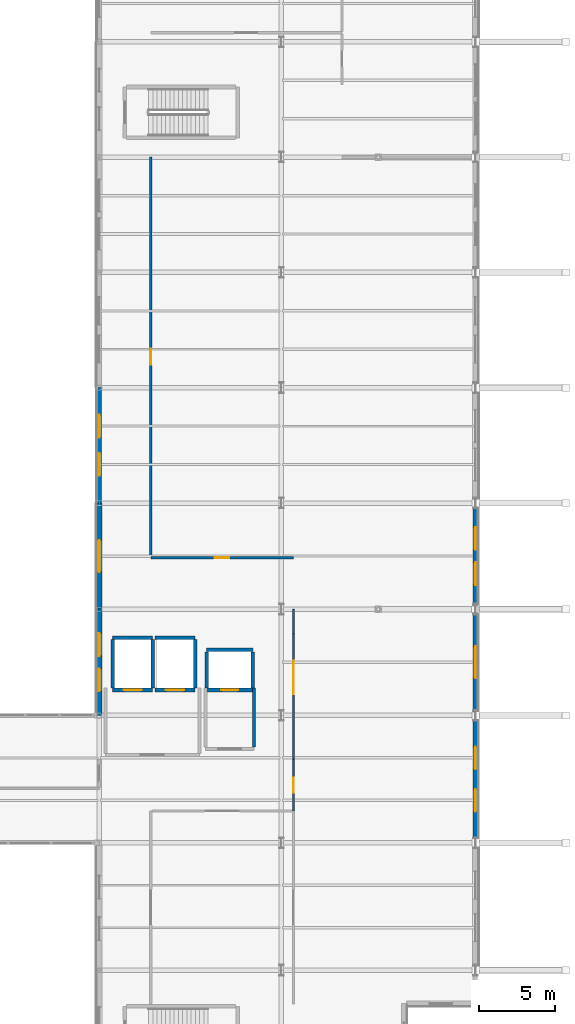
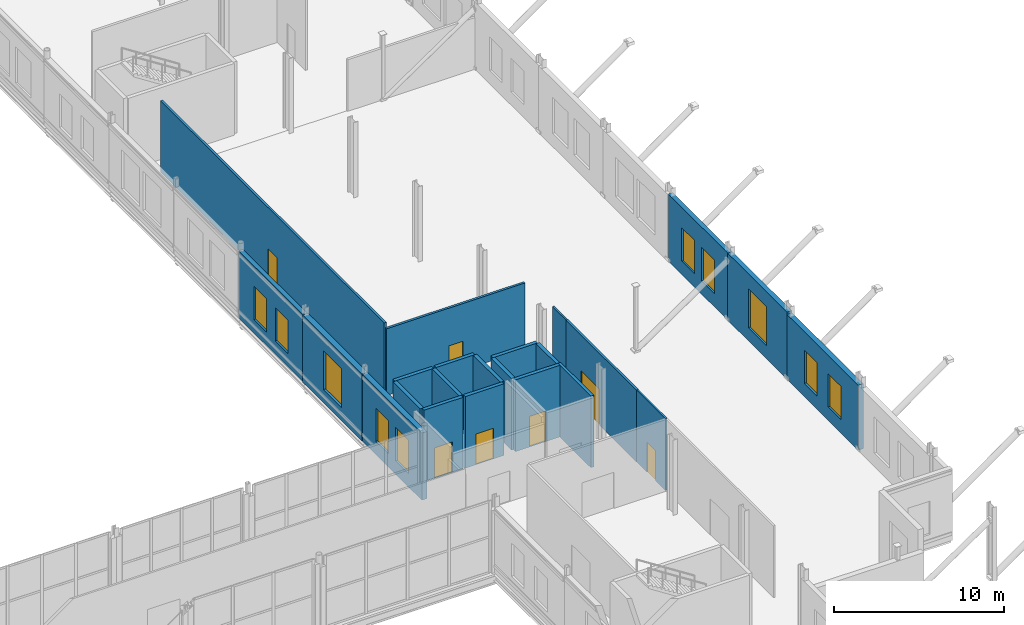
# One storey, part 127 of 147: 23 walls, 10 windows, 7 doors, 17 openings.
"""IFC4 building model written with IfcOpenShell, lengths in metres."""

from ifc_helpers import new_model, si_unit, direction, frame, frame_2d, origin, place, context, subcontext, project, spatial, rectangle, extrude, material, layer, layer_set, type_object, element, fill, save


model = new_model("IFC4")

# Units and contexts
model_context = context("Model", 3, precision=1e-05, world=origin(), true_north=direction((0.0, 1.0)))
body_context = subcontext(model_context, "Body", "Model", "MODEL_VIEW")
ifc_project = project(units=[si_unit("LENGTHUNIT", "METRE"), si_unit("AREAUNIT", "SQUARE_METRE"), si_unit("VOLUMEUNIT", "CUBIC_METRE"), si_unit("PLANEANGLEUNIT", "RADIAN"), si_unit("MASSUNIT", "GRAM", prefix="KILO")], contexts=[model_context])

# Site, building, storey
site_placement = place(None, origin())
site = spatial("IfcSite", under=ifc_project, at=site_placement, CompositionType="ELEMENT")
building_placement = place(site_placement, origin())
building = spatial("IfcBuilding", under=site, at=building_placement, Name="Vekula Escarpment Museum", CompositionType="ELEMENT")
storey_placement = place(building_placement, frame((0.0, 0.0, 7.800048828125)))
storey = spatial("IfcBuildingStorey", under=building, at=storey_placement, Name="L02", CompositionType="ELEMENT", Elevation=7.800048828125)

# Wall, openings, windows
ifc_material_1 = material(Name="Inkisi arkosic sandstone masonry", Category="masonry")
ifc_layer_1 = layer(ifc_material_1, 0.300048828125)
ifc_layer_set_1 = layer_set([ifc_layer_1], Name="Inkisi arkosic sandstone masonry")
wall_type_1 = type_object("IfcWallType", Name="WL-ALM-300", PredefinedType="SOLIDWALL", material=ifc_layer_set_1)
wall_1_placement = place(storey_placement, frame((191.800048828125, 90.39990234375, 0.0), z_axis=(0.0, 0.0, 1.0), x_axis=(0.0, -1.0, 0.0)))
wall_1 = element("IfcWall", 1, at=wall_1_placement, inside=storey, type_object=wall_type_1, Name="Exterior Wall WL-EXT-L02-0395", PredefinedType="SOLIDWALL", context=body_context, shape_type="SweptSolid", body=[
    extrude(rectangle(XDim=7.0, YDim=0.300048828125, at=frame_2d((3.5, 0.0))), origin(), (0.0, 0.0, 1.0), 4.81494140625),
])
opening_1_placement = place(wall_1_placement, frame((1.583251953125, 0.0, 0.949951171875)))
opening_1 = element("IfcOpeningElement", 2, at=opening_1_placement, cuts=wall_1, Name="Opening WN-06", PredefinedType="OPENING", context=body_context, shape_type="SweptSolid", body=[
    extrude(rectangle(XDim=1.5, YDim=2.39990234375, at=frame_2d((0.75, 1.199951171875))), frame((0.0, 0.159912109375, 0.0), z_axis=(0.0, -1.0, 0.0), x_axis=(1.0, 0.0, 0.0)), (0.0, 0.0, 1.0), 0.320068359375),
])
opening_2_placement = place(wall_1_placement, frame((3.916748046875, 0.0, 0.949951171875)))
opening_2 = element("IfcOpeningElement", 3, at=opening_2_placement, cuts=wall_1, Name="Opening WN-06", PredefinedType="OPENING", context=body_context, shape_type="SweptSolid", body=[
    extrude(rectangle(XDim=1.5, YDim=2.39990234375, at=frame_2d((0.75, 1.199951171875))), frame((0.0, 0.159912109375, 0.0), z_axis=(0.0, -1.0, 0.0), x_axis=(1.0, 0.0, 0.0)), (0.0, 0.0, 1.0), 0.320068359375),
])
ifc_material_2 = material(Name="Double solar-control low-E glass", Category="glass")
window_type_1 = type_object("IfcWindowType", Name="WN-CUMBA-15x24", PartitioningType="SINGLE_PANEL", PredefinedType="WINDOW", material=ifc_material_2)
window_1_placement = place(opening_1_placement, origin())
window_1 = element("IfcWindow", 4, at=window_1_placement, inside=storey, type_object=window_type_1, Name="Window L02-0190", OverallHeight=2.39990234375, OverallWidth=1.5, PartitioningType="SINGLE_PANEL", PredefinedType="WINDOW", context=body_context, shape_type="SweptSolid", body=[
    extrude(rectangle(XDim=1.5, YDim=2.39990234375, at=frame_2d((0.75, 1.199951171875))), frame((0.0, 0.030029296875, 0.0), z_axis=(0.0, -1.0, 0.0), x_axis=(1.0, 0.0, 0.0)), (0.0, 0.0, 1.0), 0.06005859375),
])
fill(opening_1, window_1)
window_2_placement = place(opening_2_placement, origin())
window_2 = element("IfcWindow", 5, at=window_2_placement, inside=storey, type_object=window_type_1, Name="Window L02-0191", OverallHeight=2.39990234375, OverallWidth=1.5, PartitioningType="SINGLE_PANEL", PredefinedType="WINDOW", context=body_context, shape_type="SweptSolid", body=[
    extrude(rectangle(XDim=1.5, YDim=2.39990234375, at=frame_2d((0.75, 1.199951171875))), frame((0.0, 0.030029296875, 0.0), z_axis=(0.0, -1.0, 0.0), x_axis=(1.0, 0.0, 0.0)), (0.0, 0.0, 1.0), 0.06005859375),
])
fill(opening_2, window_2)

wall_2_placement = place(storey_placement, frame((167.0, 90.39990234375, 0.0), z_axis=(0.0, 0.0, 1.0), x_axis=(0.0, 1.0, 0.0)))
wall_2 = element("IfcWall", 6, at=wall_2_placement, inside=storey, type_object=wall_type_1, Name="Exterior Wall WL-EXT-L02-0411", PredefinedType="SOLIDWALL", context=body_context, shape_type="SweptSolid", body=[
    extrude(rectangle(XDim=7.60009765625, YDim=0.300048828125, at=frame_2d((3.800048828125, 0.0))), origin(), (0.0, 0.0, 1.0), 4.81494140625),
])
opening_3_placement = place(wall_2_placement, frame((1.783203125, 0.0, 0.949951171875)))
opening_3 = element("IfcOpeningElement", 7, at=opening_3_placement, cuts=wall_2, Name="Opening WN-06", PredefinedType="OPENING", context=body_context, shape_type="SweptSolid", body=[
    extrude(rectangle(XDim=1.5, YDim=2.39990234375, at=frame_2d((0.75, 1.199951171875))), frame((0.0, 0.159912109375, 0.0), z_axis=(0.0, -1.0, 0.0), x_axis=(1.0, 0.0, 0.0)), (0.0, 0.0, 1.0), 0.320068359375),
])
opening_4_placement = place(wall_2_placement, frame((4.316650390625, 0.0, 0.949951171875)))
opening_4 = element("IfcOpeningElement", 8, at=opening_4_placement, cuts=wall_2, Name="Opening WN-06", PredefinedType="OPENING", context=body_context, shape_type="SweptSolid", body=[
    extrude(rectangle(XDim=1.5, YDim=2.39990234375, at=frame_2d((0.75, 1.199951171875))), frame((0.0, 0.159912109375, 0.0), z_axis=(0.0, -1.0, 0.0), x_axis=(1.0, 0.0, 0.0)), (0.0, 0.0, 1.0), 0.320068359375),
])
window_3_placement = place(opening_3_placement, origin())
window_3 = element("IfcWindow", 9, at=window_3_placement, inside=storey, type_object=window_type_1, Name="Window L02-0217", OverallHeight=2.39990234375, OverallWidth=1.5, PartitioningType="SINGLE_PANEL", PredefinedType="WINDOW", context=body_context, shape_type="SweptSolid", body=[
    extrude(rectangle(XDim=1.5, YDim=2.39990234375, at=frame_2d((0.75, 1.199951171875))), frame((0.0, 0.030029296875, 0.0), z_axis=(0.0, -1.0, 0.0), x_axis=(1.0, 0.0, 0.0)), (0.0, 0.0, 1.0), 0.06005859375),
])
fill(opening_3, window_3)
window_4_placement = place(opening_4_placement, origin())
window_4 = element("IfcWindow", 10, at=window_4_placement, inside=storey, type_object=window_type_1, Name="Window L02-0218", OverallHeight=2.39990234375, OverallWidth=1.5, PartitioningType="SINGLE_PANEL", PredefinedType="WINDOW", context=body_context, shape_type="SweptSolid", body=[
    extrude(rectangle(XDim=1.5, YDim=2.39990234375, at=frame_2d((0.75, 1.199951171875))), frame((0.0, 0.030029296875, 0.0), z_axis=(0.0, -1.0, 0.0), x_axis=(1.0, 0.0, 0.0)), (0.0, 0.0, 1.0), 0.06005859375),
])
fill(opening_4, window_4)

# Wall, opening, window
ifc_material_3 = material(Name="Inkisi arkosic sandstone masonry", Category="masonry")
ifc_layer_2 = layer(ifc_material_3, 0.320068359375)
ifc_layer_set_2 = layer_set([ifc_layer_2], Name="Inkisi arkosic sandstone masonry")
wall_type_2 = type_object("IfcWallType", Name="WL-ALM-320", PredefinedType="SOLIDWALL", material=ifc_layer_set_2)
wall_3_placement = place(storey_placement, frame((191.800048828125, 83.39990234375, 0.0), z_axis=(0.0, 0.0, 1.0), x_axis=(0.0, -1.0, 0.0)))
wall_3 = element("IfcWall", 11, at=wall_3_placement, inside=storey, type_object=wall_type_2, Name="Exterior Wall WL-EXT-L02-0394", PredefinedType="SOLIDWALL", context=body_context, shape_type="SweptSolid", body=[
    extrude(rectangle(XDim=7.0, YDim=0.320068359375, at=frame_2d((3.5, 0.0))), origin(), (0.0, 0.0, 1.0), 4.81494140625),
])
opening_5_placement = place(wall_3_placement, frame((2.449951171875, 0.0, 0.949951171875)))
opening_5 = element("IfcOpeningElement", 12, at=opening_5_placement, cuts=wall_3, Name="Opening WN-08", PredefinedType="OPENING", context=body_context, shape_type="SweptSolid", body=[
    extrude(rectangle(XDim=2.10009765625, YDim=2.800048828125, at=frame_2d((1.050048828125, 1.39990234375))), frame((0.0, 0.169921875, 0.0), z_axis=(0.0, -1.0, 0.0), x_axis=(1.0, 0.0, 0.0)), (0.0, 0.0, 1.0), 0.340087890625),
])
ifc_material_4 = material(Name="Double solar-control low-E glass", Category="glass")
window_type_2 = type_object("IfcWindowType", Name="WN-CUMBA-21x28", PartitioningType="DOUBLE_PANEL_VERTICAL", PredefinedType="WINDOW", material=ifc_material_4)
window_5_placement = place(opening_5_placement, origin())
window_5 = element("IfcWindow", 13, at=window_5_placement, inside=storey, type_object=window_type_2, Name="Window L02-0189", OverallHeight=2.800048828125, OverallWidth=2.10009765625, PartitioningType="SINGLE_PANEL", PredefinedType="WINDOW", context=body_context, shape_type="SweptSolid", body=[
    extrude(rectangle(XDim=2.10009765625, YDim=2.800048828125, at=frame_2d((1.050048828125, 1.39990234375))), frame((0.0, 0.030029296875, 0.0), z_axis=(0.0, -1.0, 0.0), x_axis=(1.0, 0.0, 0.0)), (0.0, 0.0, 1.0), 0.06005859375),
])
fill(opening_5, window_5)

# Wall, openings, windows
ifc_material_5 = material(Name="Inkisi arkosic sandstone masonry", Category="masonry")
ifc_layer_3 = layer(ifc_material_5, 0.35009765625)
ifc_layer_set_3 = layer_set([ifc_layer_3], Name="Inkisi arkosic sandstone masonry")
wall_type_3 = type_object("IfcWallType", Name="WL-ALM-350", PredefinedType="SOLIDWALL", material=ifc_layer_set_3)
wall_4_placement = place(storey_placement, frame((191.800048828125, 76.39990234375, 0.0), z_axis=(0.0, 0.0, 1.0), x_axis=(0.0, -1.0, 0.0)))
wall_4 = element("IfcWall", 14, at=wall_4_placement, inside=storey, type_object=wall_type_3, Name="Exterior Wall WL-EXT-L02-0393", PredefinedType="SOLIDWALL", context=body_context, shape_type="SweptSolid", body=[
    extrude(rectangle(XDim=8.39990234375, YDim=0.35009765625, at=frame_2d((4.199951171875, 0.0))), origin(), (0.0, 0.0, 1.0), 4.6650390625),
])
opening_6_placement = place(wall_4_placement, frame((2.050048828125, 0.0, 0.949951171875)))
opening_6 = element("IfcOpeningElement", 15, at=opening_6_placement, cuts=wall_4, Name="Opening WN-06", PredefinedType="OPENING", context=body_context, shape_type="SweptSolid", body=[
    extrude(rectangle(XDim=1.5, YDim=2.39990234375, at=frame_2d((0.75, 1.199951171875))), frame((0.0, 0.18505859375, 0.0), z_axis=(0.0, -1.0, 0.0), x_axis=(1.0, 0.0, 0.0)), (0.0, 0.0, 1.0), 0.3701171875),
])
opening_7_placement = place(wall_4_placement, frame((4.85009765625, 0.0, 0.949951171875)))
opening_7 = element("IfcOpeningElement", 16, at=opening_7_placement, cuts=wall_4, Name="Opening WN-06", PredefinedType="OPENING", context=body_context, shape_type="SweptSolid", body=[
    extrude(rectangle(XDim=1.5, YDim=2.39990234375, at=frame_2d((0.75, 1.199951171875))), frame((0.0, 0.18505859375, 0.0), z_axis=(0.0, -1.0, 0.0), x_axis=(1.0, 0.0, 0.0)), (0.0, 0.0, 1.0), 0.3701171875),
])
window_6_placement = place(opening_6_placement, origin())
window_6 = element("IfcWindow", 17, at=window_6_placement, inside=storey, type_object=window_type_1, Name="Window L02-0187", OverallHeight=2.39990234375, OverallWidth=1.5, PartitioningType="SINGLE_PANEL", PredefinedType="WINDOW", context=body_context, shape_type="SweptSolid", body=[
    extrude(rectangle(XDim=1.5, YDim=2.39990234375, at=frame_2d((0.75, 1.199951171875))), frame((0.0, 0.030029296875, 0.0), z_axis=(0.0, -1.0, 0.0), x_axis=(1.0, 0.0, 0.0)), (0.0, 0.0, 1.0), 0.06005859375),
])
fill(opening_6, window_6)
window_7_placement = place(opening_7_placement, origin())
window_7 = element("IfcWindow", 18, at=window_7_placement, inside=storey, type_object=window_type_1, Name="Window L02-0188", OverallHeight=2.39990234375, OverallWidth=1.5, PartitioningType="SINGLE_PANEL", PredefinedType="WINDOW", context=body_context, shape_type="SweptSolid", body=[
    extrude(rectangle(XDim=1.5, YDim=2.39990234375, at=frame_2d((0.75, 1.199951171875))), frame((0.0, 0.030029296875, 0.0), z_axis=(0.0, -1.0, 0.0), x_axis=(1.0, 0.0, 0.0)), (0.0, 0.0, 1.0), 0.06005859375),
])
fill(opening_7, window_7)

wall_5_placement = place(storey_placement, frame((167.0, 76.39990234375, 0.0), z_axis=(0.0, 0.0, 1.0), x_axis=(0.0, 1.0, 0.0)))
wall_5 = element("IfcWall", 19, at=wall_5_placement, inside=storey, type_object=wall_type_3, Name="Exterior Wall WL-EXT-L02-0413", PredefinedType="SOLIDWALL", context=body_context, shape_type="SweptSolid", body=[
    extrude(rectangle(XDim=7.0, YDim=0.35009765625, at=frame_2d((3.5, 0.0))), origin(), (0.0, 0.0, 1.0), 4.81494140625),
])
opening_8_placement = place(wall_5_placement, frame((1.583251953125, 0.0, 0.949951171875)))
opening_8 = element("IfcOpeningElement", 20, at=opening_8_placement, cuts=wall_5, Name="Opening WN-06", PredefinedType="OPENING", context=body_context, shape_type="SweptSolid", body=[
    extrude(rectangle(XDim=1.5, YDim=2.39990234375, at=frame_2d((0.75, 1.199951171875))), frame((0.0, 0.18505859375, 0.0), z_axis=(0.0, -1.0, 0.0), x_axis=(1.0, 0.0, 0.0)), (0.0, 0.0, 1.0), 0.3701171875),
])
opening_9_placement = place(wall_5_placement, frame((3.916748046875, 0.0, 0.949951171875)))
opening_9 = element("IfcOpeningElement", 21, at=opening_9_placement, cuts=wall_5, Name="Opening WN-06", PredefinedType="OPENING", context=body_context, shape_type="SweptSolid", body=[
    extrude(rectangle(XDim=1.5, YDim=2.39990234375, at=frame_2d((0.75, 1.199951171875))), frame((0.0, 0.18505859375, 0.0), z_axis=(0.0, -1.0, 0.0), x_axis=(1.0, 0.0, 0.0)), (0.0, 0.0, 1.0), 0.3701171875),
])
window_8_placement = place(opening_8_placement, origin())
window_8 = element("IfcWindow", 22, at=window_8_placement, inside=storey, type_object=window_type_1, Name="Window L02-0220", OverallHeight=2.39990234375, OverallWidth=1.5, PartitioningType="SINGLE_PANEL", PredefinedType="WINDOW", context=body_context, shape_type="SweptSolid", body=[
    extrude(rectangle(XDim=1.5, YDim=2.39990234375, at=frame_2d((0.75, 1.199951171875))), frame((0.0, 0.030029296875, 0.0), z_axis=(0.0, -1.0, 0.0), x_axis=(1.0, 0.0, 0.0)), (0.0, 0.0, 1.0), 0.06005859375),
])
fill(opening_8, window_8)
window_9_placement = place(opening_9_placement, origin())
window_9 = element("IfcWindow", 23, at=window_9_placement, inside=storey, type_object=window_type_1, Name="Window L02-0221", OverallHeight=2.39990234375, OverallWidth=1.5, PartitioningType="SINGLE_PANEL", PredefinedType="WINDOW", context=body_context, shape_type="SweptSolid", body=[
    extrude(rectangle(XDim=1.5, YDim=2.39990234375, at=frame_2d((0.75, 1.199951171875))), frame((0.0, 0.030029296875, 0.0), z_axis=(0.0, -1.0, 0.0), x_axis=(1.0, 0.0, 0.0)), (0.0, 0.0, 1.0), 0.06005859375),
])
fill(opening_9, window_9)

# Wall, opening, window
ifc_material_6 = material(Name="Inkisi arkosic sandstone masonry", Category="masonry")
ifc_layer_4 = layer(ifc_material_6, 0.3798828125)
ifc_layer_set_4 = layer_set([ifc_layer_4], Name="Inkisi arkosic sandstone masonry")
wall_type_4 = type_object("IfcWallType", Name="WL-ALM-380", PredefinedType="SOLIDWALL", material=ifc_layer_set_4)
wall_6_placement = place(storey_placement, frame((167.0, 83.39990234375, 0.0), z_axis=(0.0, 0.0, 1.0), x_axis=(0.0, 1.0, 0.0)))
wall_6 = element("IfcWall", 24, at=wall_6_placement, inside=storey, type_object=wall_type_4, Name="Exterior Wall WL-EXT-L02-0412", PredefinedType="SOLIDWALL", context=body_context, shape_type="SweptSolid", body=[
    extrude(rectangle(XDim=7.0, YDim=0.3798828125, at=frame_2d((3.5, 0.0))), origin(), (0.0, 0.0, 1.0), 4.81494140625),
])
opening_10_placement = place(wall_6_placement, frame((2.449951171875, 0.0, 0.949951171875)))
opening_10 = element("IfcOpeningElement", 25, at=opening_10_placement, cuts=wall_6, Name="Opening WN-08", PredefinedType="OPENING", context=body_context, shape_type="SweptSolid", body=[
    extrude(rectangle(XDim=2.10009765625, YDim=2.800048828125, at=frame_2d((1.050048828125, 1.39990234375))), frame((0.0, 0.199951171875, 0.0), z_axis=(0.0, -1.0, 0.0), x_axis=(1.0, 0.0, 0.0)), (0.0, 0.0, 1.0), 0.39990234375),
])
window_10_placement = place(opening_10_placement, origin())
window_10 = element("IfcWindow", 26, at=window_10_placement, inside=storey, type_object=window_type_2, Name="Window L02-0219", OverallHeight=2.800048828125, OverallWidth=2.10009765625, PartitioningType="SINGLE_PANEL", PredefinedType="WINDOW", context=body_context, shape_type="SweptSolid", body=[
    extrude(rectangle(XDim=2.10009765625, YDim=2.800048828125, at=frame_2d((1.050048828125, 1.39990234375))), frame((0.0, 0.030029296875, 0.0), z_axis=(0.0, -1.0, 0.0), x_axis=(1.0, 0.0, 0.0)), (0.0, 0.0, 1.0), 0.06005859375),
])
fill(opening_10, window_10)

# Wall
ifc_material_7 = material(Name="Concrete C35/45", Category="concrete")
ifc_layer_5 = layer(ifc_material_7, 0.199951171875)
ifc_layer_set_5 = layer_set([ifc_layer_5], Name="Concrete C35/45")
wall_type_5 = type_object("IfcWallType", Name="WL-FFL-200", PredefinedType="PARTITIONING", material=ifc_layer_set_5)
wall_7_placement = place(storey_placement, frame((177.199951171875, 74.303955078125, 0.0), z_axis=(0.0, 0.0, 1.0), x_axis=(0.0, 1.0, 0.0)))
element("IfcWall", 27, at=wall_7_placement, inside=storey, type_object=wall_type_5, Name="Lift Lobby Wall LP-03 L02 E", PredefinedType="PARTITIONING", context=body_context, shape_type="SweptSolid", body=[
    extrude(rectangle(XDim=3.89599609375, YDim=0.199951171875, at=frame_2d((1.947998046875, 0.0))), origin(), (0.0, 0.0, 1.0), 5.14990234375),
])

# Wall, opening, door
ifc_material_8 = material(Name="Lightweight studio partition", Category="gypsum")
ifc_layer_6 = layer(ifc_material_8, 0.1201171875)
ifc_layer_set_6 = layer_set([ifc_layer_6], Name="Lightweight studio partition")
wall_type_6 = type_object("IfcWallType", Name="WL-PART-120", PredefinedType="PARTITIONING", material=ifc_layer_set_6)
wall_8_placement = place(storey_placement, frame((179.800048828125, 70.10009765625, 0.0), z_axis=(0.0, 0.0, 1.0), x_axis=(0.0, 1.0, 0.0)))
wall_8 = element("IfcWall", 28, at=wall_8_placement, inside=storey, type_object=wall_type_6, Name="Interior Partition WL-INT-L02-0054", PredefinedType="PARTITIONING", context=body_context, shape_type="SweptSolid", body=[
    extrude(rectangle(XDim=3.39990234375, YDim=0.1201171875, at=frame_2d((1.699951171875, 0.0))), origin(), (0.0, 0.0, 1.0), 5.14990234375),
])
opening_11_placement = place(wall_8_placement, frame((1.199951171875, 0.0, 0.0)))
opening_11 = element("IfcOpeningElement", 29, at=opening_11_placement, cuts=wall_8, Name="Opening DR-OF10", PredefinedType="OPENING", context=body_context, shape_type="SweptSolid", body=[
    extrude(rectangle(XDim=1.0, YDim=2.14990234375, at=frame_2d((0.5, 1.074951171875))), frame((0.0, 0.070068359375, 0.0), z_axis=(0.0, -1.0, 0.0), x_axis=(1.0, 0.0, 0.0)), (0.0, 0.0, 1.0), 0.14013671875),
])
ifc_material_9 = material(Name="Solid core timber study door", Category="wood")
door_type_1 = type_object("IfcDoorType", Name="DR-OFF-1000x2150", OperationType="NOTDEFINED", PredefinedType="DOOR", material=ifc_material_9)
door_1_placement = place(opening_11_placement, origin())
door_1 = element("IfcDoor", 30, at=door_1_placement, inside=storey, type_object=door_type_1, Name="Interior Door L02-050", OperationType="SINGLE_SWING_RIGHT", OverallHeight=2.14990234375, OverallWidth=1.0, PredefinedType="DOOR", context=body_context, shape_type="SweptSolid", body=[
    extrude(rectangle(XDim=1.0, YDim=2.14990234375, at=frame_2d((0.5, 1.074951171875))), frame((0.0, 0.02490234375, 0.0), z_axis=(0.0, -1.0, 0.0), x_axis=(1.0, 0.0, 0.0)), (0.0, 0.0, 1.0), 0.050048828125),
])
fill(opening_11, door_1)

# Wall
wall_9_placement = place(storey_placement, frame((179.800048828125, 81.800048828125, 0.0), z_axis=(0.0, 0.0, 1.0), x_axis=(0.0, 1.0, 0.0)))
element("IfcWall", 31, at=wall_9_placement, inside=storey, type_object=wall_type_6, Name="Interior Partition WL-INT-L02-0057", PredefinedType="PARTITIONING", context=body_context, shape_type="SweptSolid", body=[
    extrude(rectangle(XDim=1.599853515625, YDim=0.1201171875, at=frame_2d((0.7998046875, 0.0))), origin(), (0.0, 0.0, 1.0), 5.14990234375),
])

# Wall, opening, door
ifc_material_10 = material(Name="Gypsum board dry-lined partition", Category="gypsum")
ifc_layer_7 = layer(ifc_material_10, 0.14990234375)
ifc_layer_set_7 = layer_set([ifc_layer_7], Name="Gypsum board dry-lined partition")
wall_type_7 = type_object("IfcWallType", Name="WL-PART-150", PredefinedType="PARTITIONING", material=ifc_layer_set_7)
wall_10_placement = place(storey_placement, frame((179.800048828125, 73.5, 0.0), z_axis=(0.0, 0.0, 1.0), x_axis=(0.0, 1.0, 0.0)))
wall_10 = element("IfcWall", 32, at=wall_10_placement, inside=storey, type_object=wall_type_7, Name="Interior Partition WL-INT-L02-0056", PredefinedType="PARTITIONING", context=body_context, shape_type="SweptSolid", body=[
    extrude(rectangle(XDim=8.300048828125, YDim=0.14990234375, at=frame_2d((4.14990234375, 0.0))), origin(), (0.0, 0.0, 1.0), 5.14990234375),
])
opening_12_placement = place(wall_10_placement, frame((4.31005859375, 0.0, 0.0)))
opening_12 = element("IfcOpeningElement", 33, at=opening_12_placement, cuts=wall_10, Name="Opening DR-GL22", PredefinedType="OPENING", context=body_context, shape_type="SweptSolid", body=[
    extrude(rectangle(XDim=2.199951171875, YDim=2.60009765625, at=frame_2d((1.10009765625, 1.300048828125))), frame((0.0, 0.0849609375, 0.0), z_axis=(0.0, -1.0, 0.0), x_axis=(1.0, 0.0, 0.0)), (0.0, 0.0, 1.0), 0.169921875),
])
ifc_material_11 = material(Name="Double acoustic timber gallery door", Category="wood")
door_type_2 = type_object("IfcDoorType", Name="DR-GAL-2200x2600", OperationType="NOTDEFINED", PredefinedType="DOOR", material=ifc_material_11)
door_2_placement = place(opening_12_placement, origin())
door_2 = element("IfcDoor", 34, at=door_2_placement, inside=storey, type_object=door_type_2, Name="Interior Door L02-052", OperationType="SINGLE_SWING_RIGHT", OverallHeight=2.60009765625, OverallWidth=2.199951171875, PredefinedType="DOOR", context=body_context, shape_type="SweptSolid", body=[
    extrude(rectangle(XDim=2.199951171875, YDim=2.60009765625, at=frame_2d((1.10009765625, 1.300048828125))), frame((0.0, 0.02490234375, 0.0), z_axis=(0.0, -1.0, 0.0), x_axis=(1.0, 0.0, 0.0)), (0.0, 0.0, 1.0), 0.050048828125),
])
fill(opening_12, door_2)

wall_11_placement = place(storey_placement, frame((170.39990234375, 86.884033203125, 0.0), z_axis=(0.0, 0.0, 1.0), x_axis=(0.0, 1.0, 0.0)))
wall_11 = element("IfcWall", 35, at=wall_11_placement, inside=storey, type_object=wall_type_7, Name="Interior Partition WL-INT-L02-0059", PredefinedType="PARTITIONING", context=body_context, shape_type="SweptSolid", body=[
    extrude(rectangle(XDim=26.31591796875, YDim=0.14990234375, at=frame_2d((13.157958984375, 0.0))), origin(), (0.0, 0.0, 1.0), 5.14990234375),
])
opening_13_placement = place(wall_11_placement, frame((12.633056640625, 0.0, 0.0)))
opening_13 = element("IfcOpeningElement", 36, at=opening_13_placement, cuts=wall_11, Name="Opening DR-CR10", PredefinedType="OPENING", context=body_context, shape_type="SweptSolid", body=[
    extrude(rectangle(XDim=1.050048828125, YDim=2.199951171875, at=frame_2d((0.52490234375, 1.10009765625))), frame((0.0, 0.0849609375, 0.0), z_axis=(0.0, -1.0, 0.0), x_axis=(1.0, 0.0, 0.0)), (0.0, 0.0, 1.0), 0.169921875),
])
ifc_material_12 = material(Name="Solid hardwood curatorial door", Category="wood")
door_type_3 = type_object("IfcDoorType", Name="DR-CUR-1050x2200", OperationType="NOTDEFINED", PredefinedType="DOOR", material=ifc_material_12)
door_3_placement = place(opening_13_placement, origin())
door_3 = element("IfcDoor", 37, at=door_3_placement, inside=storey, type_object=door_type_3, Name="Interior Door L02-054", OperationType="SINGLE_SWING_RIGHT", OverallHeight=2.199951171875, OverallWidth=1.050048828125, PredefinedType="DOOR", context=body_context, shape_type="SweptSolid", body=[
    extrude(rectangle(XDim=1.050048828125, YDim=2.199951171875, at=frame_2d((0.52490234375, 1.10009765625))), frame((0.0, 0.02490234375, 0.0), z_axis=(0.0, -1.0, 0.0), x_axis=(1.0, 0.0, 0.0)), (0.0, 0.0, 1.0), 0.050048828125),
])
fill(opening_13, door_3)

ifc_material_13 = material(Name="Gypsum board gallery partition", Category="gypsum")
ifc_layer_8 = layer(ifc_material_13, 0.159912109375)
ifc_layer_set_8 = layer_set([ifc_layer_8], Name="Gypsum board gallery partition")
wall_type_8 = type_object("IfcWallType", Name="WL-PART-160", PredefinedType="PARTITIONING", material=ifc_layer_set_8)
wall_12_placement = place(storey_placement, frame((170.39990234375, 86.800048828125, 0.0), z_axis=(0.0, 0.0, 1.0), x_axis=(1.0, 0.0, 0.0)))
wall_12 = element("IfcWall", 38, at=wall_12_placement, inside=storey, type_object=wall_type_8, Name="Interior Partition WL-INT-L02-0058", PredefinedType="PARTITIONING", context=body_context, shape_type="SweptSolid", body=[
    extrude(rectangle(XDim=9.400146484375, YDim=0.159912109375, at=frame_2d((4.7001953125, 0.0))), origin(), (0.0, 0.0, 1.0), 4.804931640625),
])
opening_14_placement = place(wall_12_placement, frame((4.22509765625, 0.0, 0.0)))
opening_14 = element("IfcOpeningElement", 39, at=opening_14_placement, cuts=wall_12, Name="Opening DR-OF09", PredefinedType="OPENING", context=body_context, shape_type="SweptSolid", body=[
    extrude(rectangle(XDim=0.949951171875, YDim=2.10009765625, at=frame_2d((0.47509765625, 1.050048828125))), frame((0.0, 0.08984375, 0.0), z_axis=(0.0, -1.0, 0.0), x_axis=(1.0, 0.0, 0.0)), (0.0, 0.0, 1.0), 0.179931640625),
])
ifc_material_14 = material(Name="Solid core timber office door", Category="wood")
door_type_4 = type_object("IfcDoorType", Name="DR-OFF-0950x2100", OperationType="NOTDEFINED", PredefinedType="DOOR", material=ifc_material_14)
door_4_placement = place(opening_14_placement, origin())
door_4 = element("IfcDoor", 40, at=door_4_placement, inside=storey, type_object=door_type_4, Name="Interior Door L02-053", OperationType="SINGLE_SWING_LEFT", OverallHeight=2.10009765625, OverallWidth=0.949951171875, PredefinedType="DOOR", context=body_context, shape_type="SweptSolid", body=[
    extrude(rectangle(XDim=0.949951171875, YDim=2.10009765625, at=frame_2d((0.47509765625, 1.050048828125))), frame((0.0, 0.02490234375, 0.0), z_axis=(0.0, -1.0, 0.0), x_axis=(1.0, 0.0, 0.0)), (0.0, 0.0, 1.0), 0.050048828125),
])
fill(opening_14, door_4)

ifc_material_15 = material(Name="Concrete C35/45", Category="concrete")
ifc_layer_9 = layer(ifc_material_15, 0.239990234375)
ifc_layer_set_9 = layer_set([ifc_layer_9], Name="Concrete C35/45")
wall_type_9 = type_object("IfcWallType", Name="WL-SHF-240", PredefinedType="SHEAR", material=ifc_layer_set_9)
wall_13_placement = place(storey_placement, frame((167.8798828125, 78.080078125, 0.0), z_axis=(0.0, 0.0, 1.0), x_axis=(1.0, 0.0, 0.0)))
wall_13 = element("IfcWall", 41, at=wall_13_placement, inside=storey, type_object=wall_type_9, Name="Lift Shaft Wall LF-01 L02 S", PredefinedType="SHEAR", context=body_context, shape_type="SweptSolid", body=[
    extrude(rectangle(XDim=2.64013671875, YDim=0.239990234375, at=frame_2d((1.320068359375, 0.0))), origin(), (0.0, 0.0, 1.0), 5.14990234375),
])
opening_15_placement = place(wall_13_placement, frame((0.719970703125, 0.0, 0.0)))
opening_15 = element("IfcOpeningElement", 42, at=opening_15_placement, cuts=wall_13, Name="Opening LD-FF", PredefinedType="OPENING", context=body_context, shape_type="SweptSolid", body=[
    extrude(rectangle(XDim=1.199951171875, YDim=2.199951171875, at=frame_2d((0.60009765625, 1.10009765625))), frame((0.0, 0.1298828125, 0.0), z_axis=(0.0, -1.0, 0.0), x_axis=(1.0, 0.0, 0.0)), (0.0, 0.0, 1.0), 0.260009765625),
])
ifc_material_16 = material(Name="Fire-rated stainless steel sliding lift landing door", Category="steel")
door_type_5 = type_object("IfcDoorType", Name="DR-LD-FF-1200", OperationType="DOUBLE_DOOR_SLIDING", PredefinedType="DOOR", material=ifc_material_16)
door_5_placement = place(opening_15_placement, origin())
door_5 = element("IfcDoor", 43, at=door_5_placement, inside=storey, type_object=door_type_5, Name="Sliding Lift Landing Door LF-01 L02", OperationType="DOUBLE_DOOR_SLIDING", OverallHeight=2.199951171875, OverallWidth=1.199951171875, PredefinedType="DOOR", context=body_context, shape_type="SweptSolid", body=[
    extrude(rectangle(XDim=1.199951171875, YDim=2.199951171875, at=frame_2d((0.60009765625, 1.10009765625))), frame((0.0, 0.02490234375, 0.0), z_axis=(0.0, -1.0, 0.0), x_axis=(1.0, 0.0, 0.0)), (0.0, 0.0, 1.0), 0.050048828125),
])
fill(opening_15, door_5)

# Walls
wall_14_placement = place(storey_placement, frame((167.8798828125, 81.52001953125, 0.0), z_axis=(0.0, 0.0, 1.0), x_axis=(1.0, 0.0, 0.0)))
element("IfcWall", 44, at=wall_14_placement, inside=storey, type_object=wall_type_9, Name="Lift Shaft Wall LF-01 L02 N", PredefinedType="SHEAR", context=body_context, shape_type="SweptSolid", body=[
    extrude(rectangle(XDim=2.64013671875, YDim=0.239990234375, at=frame_2d((1.320068359375, 0.0))), origin(), (0.0, 0.0, 1.0), 5.14990234375),
])
for number, where, z_axis, x_axis, name in (
    (45, (167.8798828125, 78.2041015625, 0.0), (0.0, 0.0, 1.0), (0.0, 1.0, 0.0), "Lift Shaft Wall LF-01 L02 W"),
    (46, (170.52001953125, 78.2041015625, 0.0), (0.0, 0.0, 1.0), (0.0, 1.0, 0.0), "Lift Shaft Wall LF-01 L02 E"),
):
    element("IfcWall", number, at=place(storey_placement, frame(where, z_axis=z_axis, x_axis=x_axis)), inside=storey, type_object=wall_type_9, Name=name, PredefinedType="SHEAR", context=body_context, shape_type="SweptSolid", body=[
        extrude(rectangle(XDim=3.19189453125, YDim=0.239990234375, at=frame_2d((1.595947265625, 0.0))), origin(), (0.0, 0.0, 1.0), 5.14990234375),
    ])

# Wall, opening, door
wall_15_placement = place(storey_placement, frame((170.679931640625, 78.080078125, 0.0), z_axis=(0.0, 0.0, 1.0), x_axis=(1.0, 0.0, 0.0)))
wall_15 = element("IfcWall", 47, at=wall_15_placement, inside=storey, type_object=wall_type_9, Name="Lift Shaft Wall LF-02 L02 S", PredefinedType="SHEAR", context=body_context, shape_type="SweptSolid", body=[
    extrude(rectangle(XDim=2.64013671875, YDim=0.239990234375, at=frame_2d((1.320068359375, 0.0))), origin(), (0.0, 0.0, 1.0), 5.14990234375),
])
opening_16_placement = place(wall_15_placement, frame((0.719970703125, 0.0, 0.0)))
opening_16 = element("IfcOpeningElement", 48, at=opening_16_placement, cuts=wall_15, Name="Opening LD-FF", PredefinedType="OPENING", context=body_context, shape_type="SweptSolid", body=[
    extrude(rectangle(XDim=1.199951171875, YDim=2.199951171875, at=frame_2d((0.60009765625, 1.10009765625))), frame((0.0, 0.1298828125, 0.0), z_axis=(0.0, -1.0, 0.0), x_axis=(1.0, 0.0, 0.0)), (0.0, 0.0, 1.0), 0.260009765625),
])
door_6_placement = place(opening_16_placement, origin())
door_6 = element("IfcDoor", 49, at=door_6_placement, inside=storey, type_object=door_type_5, Name="Sliding Lift Landing Door LF-02 L02", OperationType="DOUBLE_DOOR_SLIDING", OverallHeight=2.199951171875, OverallWidth=1.199951171875, PredefinedType="DOOR", context=body_context, shape_type="SweptSolid", body=[
    extrude(rectangle(XDim=1.199951171875, YDim=2.199951171875, at=frame_2d((0.60009765625, 1.10009765625))), frame((0.0, 0.02490234375, 0.0), z_axis=(0.0, -1.0, 0.0), x_axis=(1.0, 0.0, 0.0)), (0.0, 0.0, 1.0), 0.050048828125),
])
fill(opening_16, door_6)

# Walls
wall_16_placement = place(storey_placement, frame((170.679931640625, 81.52001953125, 0.0), z_axis=(0.0, 0.0, 1.0), x_axis=(1.0, 0.0, 0.0)))
element("IfcWall", 50, at=wall_16_placement, inside=storey, type_object=wall_type_9, Name="Lift Shaft Wall LF-02 L02 N", PredefinedType="SHEAR", context=body_context, shape_type="SweptSolid", body=[
    extrude(rectangle(XDim=2.64013671875, YDim=0.239990234375, at=frame_2d((1.320068359375, 0.0))), origin(), (0.0, 0.0, 1.0), 5.14990234375),
])
wall_17_placement = place(storey_placement, frame((173.320068359375, 78.2041015625, 0.0), z_axis=(0.0, 0.0, 1.0), x_axis=(0.0, 1.0, 0.0)))
element("IfcWall", 51, at=wall_17_placement, inside=storey, type_object=wall_type_9, Name="Lift Shaft Wall LF-02 L02 E", PredefinedType="SHEAR", context=body_context, shape_type="SweptSolid", body=[
    extrude(rectangle(XDim=3.19189453125, YDim=0.239990234375, at=frame_2d((1.595947265625, 0.0))), origin(), (0.0, 0.0, 1.0), 5.14990234375),
])

# Wall, opening, door
wall_18_placement = place(storey_placement, frame((174.080078125, 78.080078125, 0.0), z_axis=(0.0, 0.0, 1.0), x_axis=(1.0, 0.0, 0.0)))
wall_18 = element("IfcWall", 52, at=wall_18_placement, inside=storey, type_object=wall_type_9, Name="Lift Shaft Wall LP-03 L02 S", PredefinedType="SHEAR", context=body_context, shape_type="SweptSolid", body=[
    extrude(rectangle(XDim=3.0400390625, YDim=0.239990234375, at=frame_2d((1.52001953125, 0.0))), origin(), (0.0, 0.0, 1.0), 5.14990234375),
])
opening_17_placement = place(wall_18_placement, frame((0.969970703125, 0.0, 0.0)))
opening_17 = element("IfcOpeningElement", 53, at=opening_17_placement, cuts=wall_18, Name="Opening LD-PAX", PredefinedType="OPENING", context=body_context, shape_type="SweptSolid", body=[
    extrude(rectangle(XDim=1.10009765625, YDim=2.199951171875, at=frame_2d((0.550048828125, 1.10009765625))), frame((0.0, 0.1298828125, 0.0), z_axis=(0.0, -1.0, 0.0), x_axis=(1.0, 0.0, 0.0)), (0.0, 0.0, 1.0), 0.260009765625),
])
ifc_material_17 = material(Name="Brushed stainless steel sliding lift landing door", Category="steel")
door_type_6 = type_object("IfcDoorType", Name="DR-LD-PAX-1100", OperationType="DOUBLE_DOOR_SLIDING", PredefinedType="DOOR", material=ifc_material_17)
door_7_placement = place(opening_17_placement, origin())
door_7 = element("IfcDoor", 54, at=door_7_placement, inside=storey, type_object=door_type_6, Name="Sliding Lift Landing Door LP-03 L02", OperationType="DOUBLE_DOOR_SLIDING", OverallHeight=2.199951171875, OverallWidth=1.10009765625, PredefinedType="DOOR", context=body_context, shape_type="SweptSolid", body=[
    extrude(rectangle(XDim=1.10009765625, YDim=2.199951171875, at=frame_2d((0.550048828125, 1.10009765625))), frame((0.0, 0.02490234375, 0.0), z_axis=(0.0, -1.0, 0.0), x_axis=(1.0, 0.0, 0.0)), (0.0, 0.0, 1.0), 0.050048828125),
])
fill(opening_17, door_7)

# Walls
wall_19_placement = place(storey_placement, frame((174.080078125, 80.719970703125, 0.0), z_axis=(0.0, 0.0, 1.0), x_axis=(1.0, 0.0, 0.0)))
element("IfcWall", 55, at=wall_19_placement, inside=storey, type_object=wall_type_9, Name="Lift Shaft Wall LP-03 L02 N", PredefinedType="SHEAR", context=body_context, shape_type="SweptSolid", body=[
    extrude(rectangle(XDim=3.0400390625, YDim=0.239990234375, at=frame_2d((1.52001953125, 0.0))), origin(), (0.0, 0.0, 1.0), 5.14990234375),
])
for number, where, z_axis, x_axis, name in (
    (56, (174.080078125, 78.2041015625, 0.0), (0.0, 0.0, 1.0), (0.0, 1.0, 0.0), "Lift Shaft Wall LP-03 L02 W"),
    (57, (177.1201171875, 78.2041015625, 0.0), (0.0, 0.0, 1.0), (0.0, 1.0, 0.0), "Lift Shaft Wall LP-03 L02 E"),
):
    element("IfcWall", number, at=place(storey_placement, frame(where, z_axis=z_axis, x_axis=x_axis)), inside=storey, type_object=wall_type_9, Name=name, PredefinedType="SHEAR", context=body_context, shape_type="SweptSolid", body=[
        extrude(rectangle(XDim=2.391845703125, YDim=0.239990234375, at=frame_2d((1.19580078125, 0.0))), origin(), (0.0, 0.0, 1.0), 5.14990234375),
    ])

save(model, "model.ifc")
